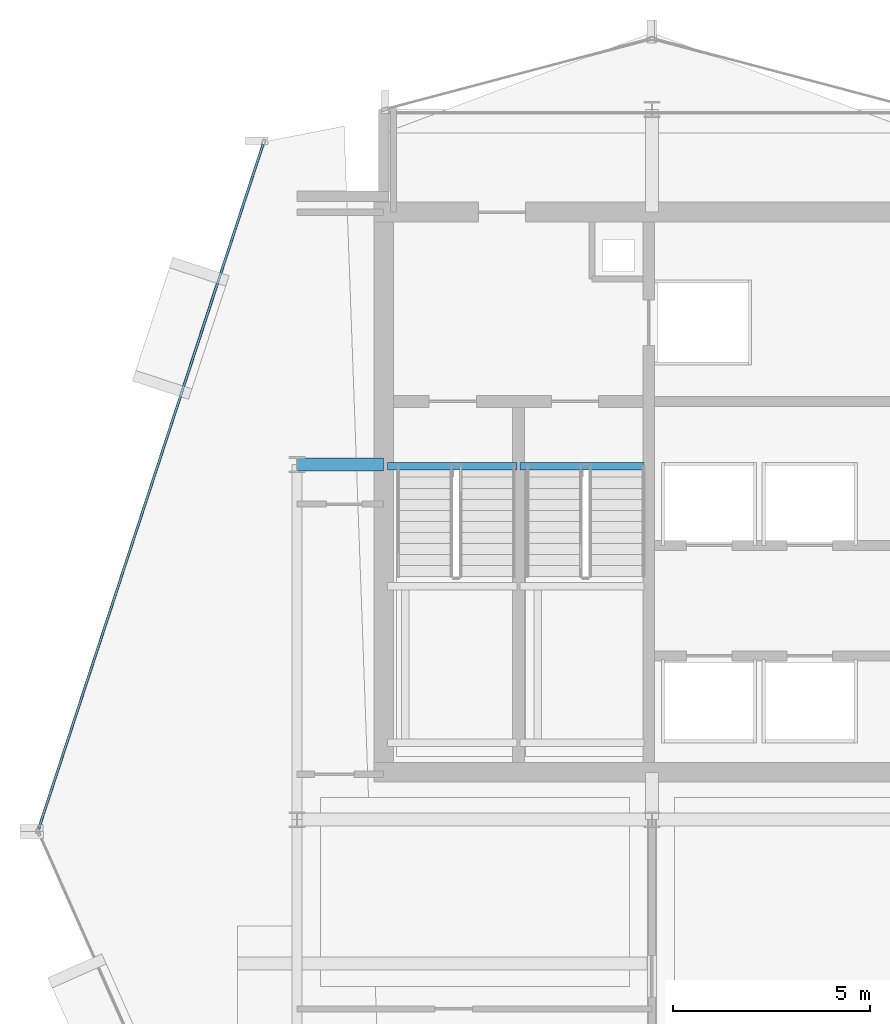
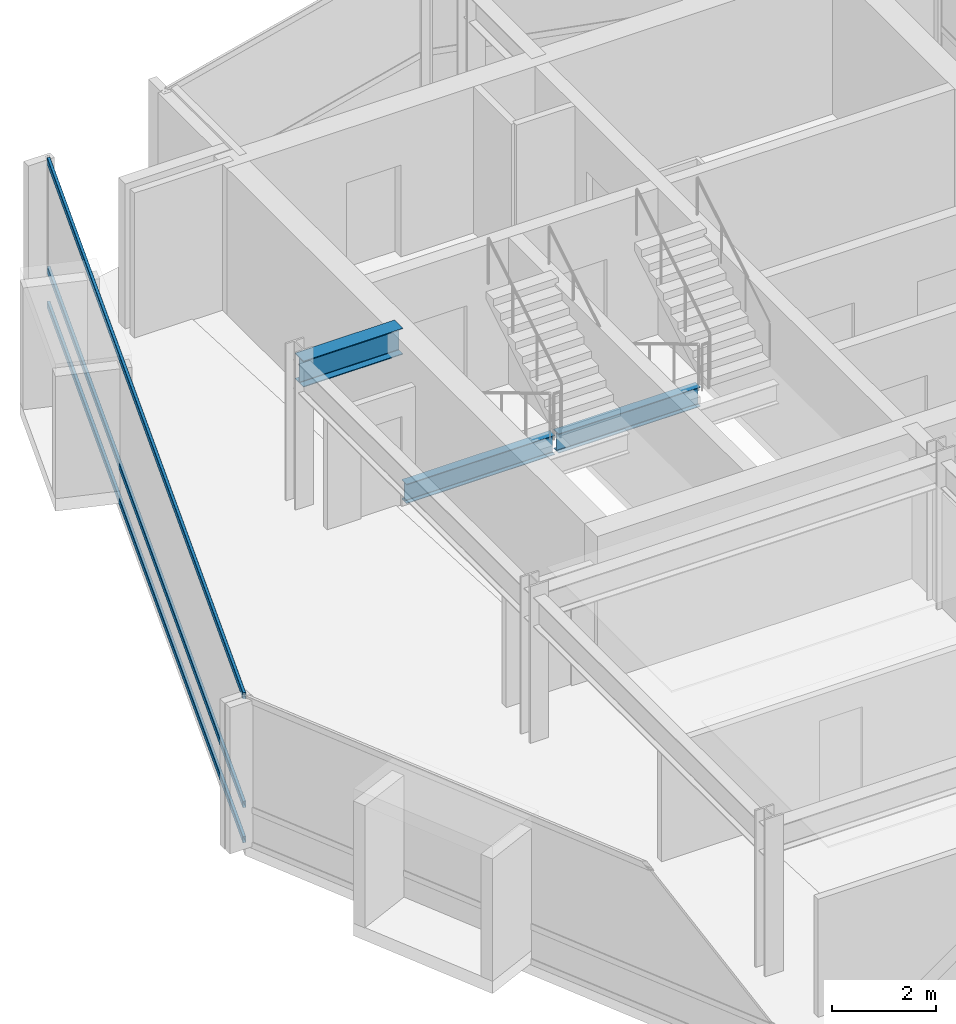
# One storey, part 15 of 28: 3 beams, 3 members, 1 element without a shape of its own.
"""IFC4 building model written with IfcOpenShell, lengths in metres."""

from ifc_helpers import new_model, si_unit, direction, frame, origin, origin_2d, place, context, subcontext, project, spatial, hollow_rectangle, i_section, extrude, material, layer, layer_set, material_profile, profile_set, type_object, element, aggregate, save


model = new_model("IFC4")

# Units and contexts
model_context = context("Model", 3, precision=1e-05, world=origin(), true_north=direction((0.0, 1.0)))
body_context = subcontext(model_context, "Body", "Model", "MODEL_VIEW")
ifc_project = project(units=[si_unit("LENGTHUNIT", "METRE"), si_unit("AREAUNIT", "SQUARE_METRE"), si_unit("VOLUMEUNIT", "CUBIC_METRE"), si_unit("PLANEANGLEUNIT", "RADIAN"), si_unit("MASSUNIT", "GRAM", prefix="KILO")], contexts=[model_context])

# Site, building, storey
site_placement = place(None, origin())
site = spatial("IfcSite", under=ifc_project, at=site_placement, CompositionType="ELEMENT")
building_placement = place(site_placement, origin())
building = spatial("IfcBuilding", under=site, at=building_placement, Name="Solvaryn Broadcast Tower", CompositionType="ELEMENT")
storey_placement = place(building_placement, frame((0.0, 0.0, 213.60009765625)))
storey = spatial("IfcBuildingStorey", under=building, at=storey_placement, Name="L53", CompositionType="ELEMENT", Elevation=213.60009765625)

# Beams
ifc_material_1 = material(Name="Steel ASTM A992 Grade 50", Category="steel")
ifc_material_profile_1 = material_profile(ifc_material_1, i_section(OverallWidth=0.323974609375, OverallDepth=0.611083984375, WebThickness=0.0126953125, FlangeThickness=0.01904296875, FilletRadius=0.014892578125, at=origin_2d()))
ifc_profile_set_1 = profile_set([ifc_material_profile_1], Name="Steel ASTM A992 Grade 50")
beam_type_1 = type_object("IfcBeamType", Name="BM-B1-W24X104", PredefinedType="BEAM", material=ifc_profile_set_1)
beam_1_placement = place(storey_placement, frame((9.0, 36.0, 3.114501953125), z_axis=(1.0, 0.0, 0.0), x_axis=(0.0, 1.0, 0.0)))
element("IfcBeam", 1, at=beam_1_placement, inside=storey, type_object=beam_type_1, Name="L53 Core Tie Beam CTW1", PredefinedType="BEAM", context=body_context, shape_type="SweptSolid", body=[
    extrude(i_section(OverallWidth=0.323974609375, OverallDepth=0.611083984375, WebThickness=0.0126953125, FlangeThickness=0.01904296875, FilletRadius=0.014892578125, at=origin_2d()), origin(), (0.0, 0.0, 1.0), 2.199951171875),
])
ifc_material_2 = material(Name="Steel ASTM A992 Grade 50", Category="steel")
ifc_material_profile_2 = material_profile(ifc_material_2, i_section(OverallWidth=0.18994140625, OverallDepth=0.45703125, WebThickness=0.009033203125, FlangeThickness=0.014404296875, FilletRadius=0.011962890625, at=origin_2d()))
ifc_profile_set_2 = profile_set([ifc_material_profile_2], Name="Steel ASTM A992 Grade 50")
beam_type_2 = type_object("IfcBeamType", Name="BM-B4-W18X50", PredefinedType="BEAM", material=ifc_profile_set_2)
beam_2_placement = place(storey_placement, frame((11.300048828125, 35.9599609375, -0.508544921875), z_axis=(1.0, 0.0, 0.0), x_axis=(0.0, 1.0, 0.0)))
element("IfcBeam", 2, at=beam_2_placement, inside=storey, type_object=beam_type_2, Name="L53 ST1 Stair Well Trimmer Beam", PredefinedType="BEAM", context=body_context, shape_type="SweptSolid", body=[
    extrude(i_section(OverallWidth=0.18994140625, OverallDepth=0.45703125, WebThickness=0.009033203125, FlangeThickness=0.014404296875, FilletRadius=0.011962890625, at=origin_2d()), origin(), (0.0, 0.0, 1.0), 3.280029296875),
])
beam_3_placement = place(storey_placement, frame((14.659912109375, 35.9599609375, -0.508544921875), z_axis=(1.0, 0.0, 0.0), x_axis=(0.0, 1.0, 0.0)))
element("IfcBeam", 3, at=beam_3_placement, inside=storey, type_object=beam_type_2, Name="L53 ST2 Stair Well Trimmer Beam", PredefinedType="BEAM", context=body_context, shape_type="SweptSolid", body=[
    extrude(i_section(OverallWidth=0.18994140625, OverallDepth=0.45703125, WebThickness=0.009033203125, FlangeThickness=0.014404296875, FilletRadius=0.011962890625, at=origin_2d()), origin(), (0.0, 0.0, 1.0), 3.14013671875),
])

# Curtain wall, members
ifc_material_3 = material(Name="Aluminium and Terracotta Unitised Curtain Wall", Category="masonry")
ifc_layer = layer(ifc_material_3, 0.199951171875)
ifc_layer_set = layer_set([ifc_layer], Name="CW-SYS2-LOWMID")
curtain_wall_type = type_object("IfcCurtainWallType", Name="CW-SYS2-LOWMID", PredefinedType="NOTDEFINED", material=ifc_layer_set)
curtain_wall_placement = place(storey_placement, origin())
curtain_wall = element("IfcCurtainWall", 4, at=curtain_wall_placement, inside=storey, type_object=curtain_wall_type, Name="L53 Curtain Wall DR1", PredefinedType="NOTDEFINED")
ifc_material_4 = material(Name="Anodised Aluminium 6063-T6", Category="aluminium")
ifc_material_profile_3 = material_profile(ifc_material_4, hollow_rectangle(XDim=0.06494140625, YDim=0.14990234375, WallThickness=0.00390625, InnerFilletRadius=0.00390625, OuterFilletRadius=0.008056640625, at=origin_2d()))
ifc_profile_set_3 = profile_set([ifc_material_profile_3], Name="Anodised Aluminium 6063-T6")
member_type = type_object("IfcMemberType", Name="CW-TRN-150", PredefinedType="USERDEFINED", material=ifc_profile_set_3)
member_1_placement = place(storey_placement, frame((8.144287109375, 44.125, 0.02978515625), z_axis=(-0.311557987209, -0.950227141586, 0.0), x_axis=(0.950227141586, -0.311557987209, 0.0)))
member_1 = element("IfcMember", 5, at=member_1_placement, type_object=member_type, Name="CWS2 transom 1.1", ObjectType="TRANSOM", PredefinedType="USERDEFINED", context=body_context, shape_type="SweptSolid", body=[
    extrude(hollow_rectangle(XDim=0.06494140625, YDim=0.14990234375, WallThickness=0.00390625, InnerFilletRadius=0.00390625, OuterFilletRadius=0.008056640625, at=origin_2d()), origin(), (0.0, 0.0, 1.0), 18.271484375),
])
member_2_placement = place(storey_placement, frame((8.144287109375, 44.125, 0.849853515625), z_axis=(-0.311557987209, -0.950227141586, 0.0), x_axis=(0.950227141586, -0.311557987209, 0.0)))
member_2 = element("IfcMember", 6, at=member_2_placement, type_object=member_type, Name="CWS2 transom 1.2", ObjectType="TRANSOM", PredefinedType="USERDEFINED", context=body_context, shape_type="SweptSolid", body=[
    extrude(hollow_rectangle(XDim=0.06494140625, YDim=0.14990234375, WallThickness=0.00390625, InnerFilletRadius=0.00390625, OuterFilletRadius=0.008056640625, at=origin_2d()), origin(), (0.0, 0.0, 1.0), 18.271484375),
])
member_3_placement = place(storey_placement, frame((8.144287109375, 44.125, 3.389892578125), z_axis=(-0.311557987209, -0.950227141586, 0.0), x_axis=(0.950227141586, -0.311557987209, 0.0)))
member_3 = element("IfcMember", 7, at=member_3_placement, type_object=member_type, Name="CWS2 transom 1.3", ObjectType="TRANSOM", PredefinedType="USERDEFINED", context=body_context, shape_type="SweptSolid", body=[
    extrude(hollow_rectangle(XDim=0.06494140625, YDim=0.14990234375, WallThickness=0.00390625, InnerFilletRadius=0.00390625, OuterFilletRadius=0.008056640625, at=origin_2d()), origin(), (0.0, 0.0, 1.0), 18.271484375),
])
aggregate(curtain_wall, [member_1, member_2, member_3])

save(model, "model.ifc")
